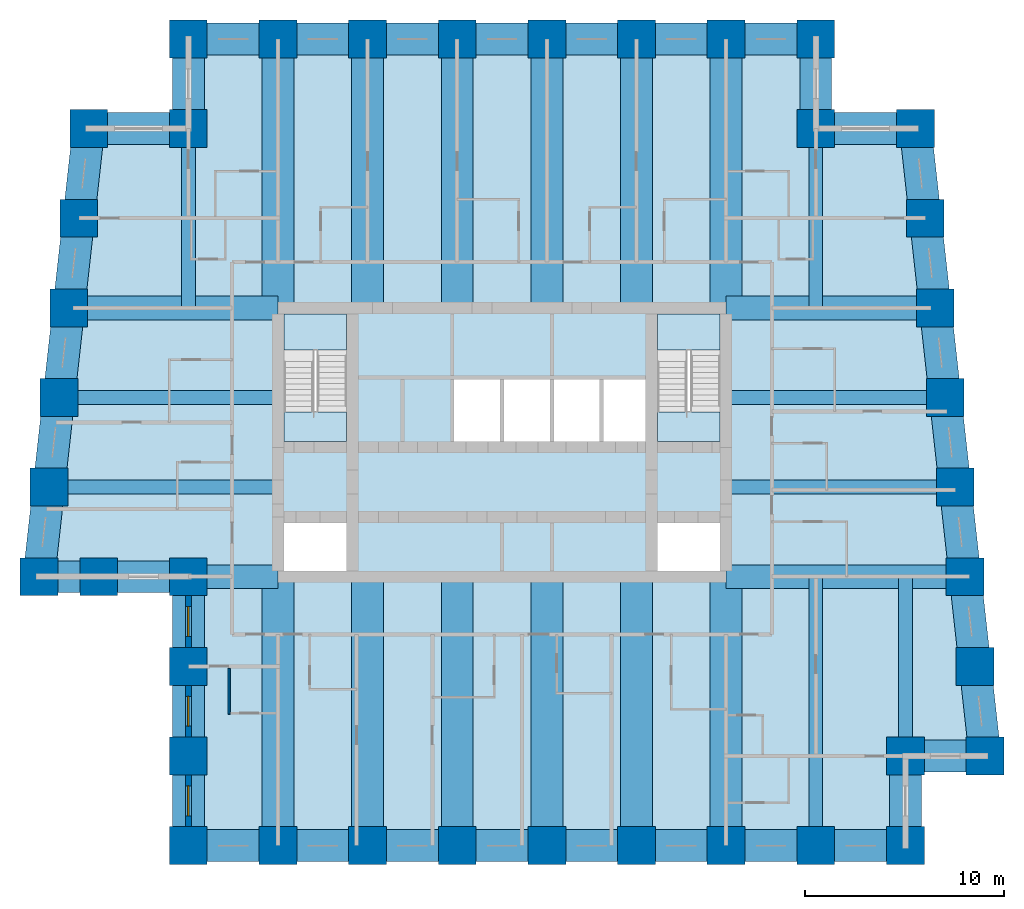
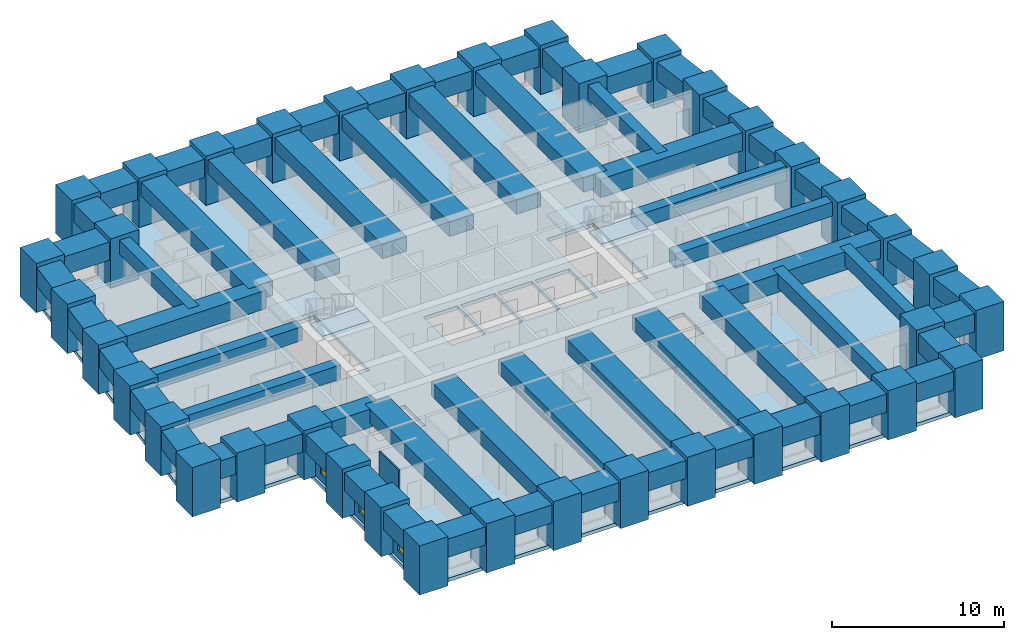
# One storey, part 1 of 8: 62 beams, 38 columns, 5 slabs, 3 windows, 2 walls, 3 openings, 2 elements without a shape of their own.
"""IFC4 building model written with IfcOpenShell, lengths in metres."""

import ifcopenshell
import ifcopenshell.guid

model = None  # the IFC model being written
_history = None  # IfcOwnerHistory: only IFC2X3 demands one
_inside = {}  # id of a spatial element -> (the spatial element, [elements in it])
_under = {}  # id of a project, library or spatial element -> (it, [spatial elements below it])
_declared = {}  # id of a project -> (the project, [libraries it declares])
_typed = {}  # id of a type object -> (the type object, [elements of that type])
_made_of = {}  # id of a material, layer set ... -> (it, [elements and type objects made of it])


def new_model(schema):
    """Start an empty IFC model of exactly this schema.

    Asked for "IFC4X3", IfcOpenShell would pick the latest addendum, in which some entities
    have other attributes; the version numbers below select the first issue.
    IFC2X3 requires an IfcOwnerHistory on every rooted entity: one is made here for all.
    """
    global model, _history
    if schema == "IFC4X3":
        model = ifcopenshell.file(schema_version=(4, 3, 0, 0))
    else:
        model = ifcopenshell.file(schema=schema)
    _inside.clear()
    _under.clear()
    _declared.clear()
    _typed.clear()
    _made_of.clear()
    _history = None
    if model.schema == "IFC2X3":
        org = make("IfcOrganization", Name="unknown")
        user = make(
            "IfcPersonAndOrganization",
            ThePerson=make("IfcPerson", FamilyName="unknown"),
            TheOrganization=org,
        )
        app = make(
            "IfcApplication",
            ApplicationDeveloper=org,
            Version="unknown",
            ApplicationFullName="unknown",
            ApplicationIdentifier="unknown",
        )
        _history = make(
            "IfcOwnerHistory",
            OwningUser=user,
            OwningApplication=app,
            ChangeAction="ADDED",
            CreationDate=0,
        )
    return model


def make(cls, **values):
    """One entity of the class cls with the attributes given. An attribute that is None is left unset."""
    return model.create_entity(
        cls, **{name: value for name, value in values.items() if value is not None}
    )


def rooted(cls, **values):
    """An entity with a GlobalId (a new one), such as an element, a storey or a relation."""
    return make(cls, GlobalId=ifcopenshell.guid.new(), OwnerHistory=_history, **values)


def si_unit(unit_type, name, prefix=None):
    """IfcSIUnit, for example si_unit("LENGTHUNIT", "METRE", prefix="MILLI")."""
    return make("IfcSIUnit", UnitType=unit_type, Prefix=prefix, Name=name)


def assignment(units):
    """IfcUnitAssignment: the units of a project."""
    return None if units is None else make("IfcUnitAssignment", Units=units)


def point(xyz):
    """IfcCartesianPoint."""
    return None if xyz is None else make("IfcCartesianPoint", Coordinates=xyz)


def direction(xyz):
    """IfcDirection."""
    return None if xyz is None else make("IfcDirection", DirectionRatios=xyz)


def frame(location, z_axis=None, x_axis=None):
    """IfcAxis2Placement3D, a coordinate frame: its origin and axes. An axis left out is left unset."""
    return make(
        "IfcAxis2Placement3D",
        Location=point(location),
        Axis=direction(z_axis),
        RefDirection=direction(x_axis),
    )


def frame_2d(location, x_axis=None):
    """IfcAxis2Placement2D, a coordinate frame in the plane: its origin and x axis."""
    return make(
        "IfcAxis2Placement2D", Location=point(location), RefDirection=direction(x_axis)
    )


def origin():
    """The frame at (0, 0, 0) with its axes left unset."""
    return frame((0.0, 0.0, 0.0))


def origin_2d():
    """The frame at (0, 0) in the plane with its x axis left unset."""
    return frame_2d((0.0, 0.0))


def place(relative_to, where):
    """IfcLocalPlacement: puts the frame where relative to a parent placement (None: the world)."""
    return make(
        "IfcLocalPlacement", PlacementRelTo=relative_to, RelativePlacement=where
    )


def context(
    kind, dimensions, precision=None, world=None, true_north=None, identifier=None
):
    """IfcGeometricRepresentationContext, for example the 3D "Model" context."""
    return make(
        "IfcGeometricRepresentationContext",
        ContextIdentifier=identifier,
        ContextType=kind,
        CoordinateSpaceDimension=dimensions,
        Precision=precision,
        WorldCoordinateSystem=world,
        TrueNorth=true_north,
    )


def subcontext(parent, identifier, kind, view, scale=None):
    """IfcGeometricRepresentationSubContext, for example "Body" below "Model"."""
    return make(
        "IfcGeometricRepresentationSubContext",
        ContextIdentifier=identifier,
        ContextType=kind,
        ParentContext=parent,
        TargetScale=scale,
        TargetView=view,
    )


def project(units=None, contexts=None):
    """IfcProject with its units and contexts."""
    return rooted(
        "IfcProject",
        Name="project",
        RepresentationContexts=contexts,
        UnitsInContext=assignment(units),
    )


def spatial(cls, under=None, at=None, **own):
    """A site, building, storey or space (cls), placed at a placement, below another one or the project."""
    s = rooted(cls, ObjectPlacement=at, **own)
    if under is not None:
        _under.setdefault(under.id(), (under, []))[1].append(s)
    return s


def polyline(points):
    """IfcPolyline through the points."""
    return make("IfcPolyline", Points=[point(p) for p in points])


def profile(cls, at=None, kind="AREA", **sizes):
    """A parametric profile (cls). Its sizes go by their IFC names, for example OverallWidth=200.0."""
    return make(cls, ProfileType=kind, Position=at, **sizes)


def rectangle(**sizes):
    """IfcRectangleProfileDef."""
    return profile("IfcRectangleProfileDef", **sizes)


def outline(outer, holes=None, kind="AREA"):
    """IfcArbitraryClosedProfileDef: a profile drawn as a closed curve; with holes, ...WithVoids."""
    if holes is None:
        return make("IfcArbitraryClosedProfileDef", ProfileType=kind, OuterCurve=outer)
    return make(
        "IfcArbitraryProfileDefWithVoids",
        ProfileType=kind,
        OuterCurve=outer,
        InnerCurves=holes,
    )


def extrude(swept, where, along, depth):
    """IfcExtrudedAreaSolid: the profile swept, set in the frame where, extruded along a direction by depth."""
    return make(
        "IfcExtrudedAreaSolid",
        SweptArea=swept,
        Position=where,
        ExtrudedDirection=direction(along),
        Depth=depth,
    )


def shape(context_of_items, identifier, shape_type, items):
    """IfcShapeRepresentation: the items that make up one representation, for example the "Body"."""
    return make(
        "IfcShapeRepresentation",
        ContextOfItems=context_of_items,
        RepresentationIdentifier=identifier,
        RepresentationType=shape_type,
        Items=items,
    )


def material(Name=None, Category=None):
    """IfcMaterial."""
    return make("IfcMaterial", Name=Name, Category=Category)


def layer(
    of_material, thickness, ventilated=None, Name=None, Category=None, Priority=None
):
    """IfcMaterialLayer: one layer of a wall or slab, of a material (None: an air gap)."""
    return make(
        "IfcMaterialLayer",
        Material=of_material,
        LayerThickness=thickness,
        IsVentilated=ventilated,
        Name=Name,
        Category=Category,
        Priority=Priority,
    )


def layer_set(layers, Name=None):
    """IfcMaterialLayerSet."""
    return make("IfcMaterialLayerSet", MaterialLayers=layers, LayerSetName=Name)


def material_profile(
    of_material, cross_section, Name=None, Category=None, Priority=None
):
    """IfcMaterialProfile: a cross section and its material."""
    return make(
        "IfcMaterialProfile",
        Name=Name,
        Material=of_material,
        Profile=cross_section,
        Priority=Priority,
        Category=Category,
    )


def profile_set(profiles, Name=None, composite=None):
    """IfcMaterialProfileSet."""
    return make(
        "IfcMaterialProfileSet",
        Name=Name,
        MaterialProfiles=profiles,
        CompositeProfile=composite,
    )


def made_of(thing, what):
    """Note that an element or type object is made of a material, layer set ...; save() writes the relation."""
    if what is not None:
        _made_of.setdefault(what.id(), (what, []))[1].append(thing)
    return thing


def type_object(cls, material=None, **own):
    """A type object (cls), such as IfcWallType, which elements share."""
    return made_of(rooted(cls, **own), material)


def element(
    cls,
    number,
    at=None,
    inside=None,
    cuts=None,
    type_object=None,
    material=None,
    context=None,
    identifier="Body",
    shape_type=None,
    held_by="IfcProductDefinitionShape",
    body=None,
    shapes=None,
    **own,
):
    """One element of the class cls, such as IfcWall. Its Tag is "e" and its number.

    at: its placement. inside: the storey or other place that contains it. cuts: it is an
    opening in that element (IfcRelVoidsElement). A single representation is given by context,
    identifier, shape_type and body (its items); several are given by shapes. held_by: the class
    of the entity that holds the representations. save() writes the other relations.
    """
    e = rooted(cls, Tag="e%d" % number, ObjectPlacement=at, **own)
    if body is not None:
        shapes = [shape(context, identifier, shape_type, body)]
    if shapes is not None:
        e.Representation = make(held_by, Representations=shapes)
    if inside is not None:
        _inside.setdefault(inside.id(), (inside, []))[1].append(e)
    if cuts is not None:
        rooted(
            "IfcRelVoidsElement", RelatingBuildingElement=cuts, RelatedOpeningElement=e
        )
    if type_object is not None:
        _typed.setdefault(type_object.id(), (type_object, []))[1].append(e)
    return made_of(e, material)


def fill(opening, filler):
    """IfcRelFillsElement: the door or window that sits in an opening."""
    return rooted(
        "IfcRelFillsElement",
        RelatingOpeningElement=opening,
        RelatedBuildingElement=filler,
    )


def aggregate(whole, parts):
    """IfcRelAggregates: a whole, such as a stair, and the parts it consists of."""
    return rooted("IfcRelAggregates", RelatingObject=whole, RelatedObjects=parts)


def save(model, path):
    """Write the relations noted so far, then the file.

    IfcRelAggregates (storeys below a building ...), IfcRelContainedInSpatialStructure (elements
    in a storey), IfcRelDefinesByType, IfcRelAssociatesMaterial and IfcRelDeclares: one each for
    every whole, place, type object, material and project.
    """
    for whole, parts in _under.values():
        aggregate(whole, parts)
    for where, things in _inside.values():
        rooted(
            "IfcRelContainedInSpatialStructure",
            RelatedElements=things,
            RelatingStructure=where,
        )
    for kind, things in _typed.values():
        rooted("IfcRelDefinesByType", RelatedObjects=things, RelatingType=kind)
    for what, things in _made_of.values():
        rooted("IfcRelAssociatesMaterial", RelatedObjects=things, RelatingMaterial=what)
    for by, libraries in _declared.values():
        rooted("IfcRelDeclares", RelatingContext=by, RelatedDefinitions=libraries)
    model.write(path)


model = new_model("IFC4")

# Units and contexts
model_context = context("Model", 3, precision=1e-05, world=origin(), true_north=direction((0.0, 1.0)))
body_context = subcontext(model_context, "Body", "Model", "MODEL_VIEW")
ifc_project = project(units=[si_unit("LENGTHUNIT", "METRE"), si_unit("AREAUNIT", "SQUARE_METRE"), si_unit("VOLUMEUNIT", "CUBIC_METRE"), si_unit("PLANEANGLEUNIT", "RADIAN"), si_unit("MASSUNIT", "GRAM", prefix="KILO")], contexts=[model_context])

# Site, building, storey
site_placement = place(None, origin())
site = spatial("IfcSite", under=ifc_project, at=site_placement, CompositionType="ELEMENT")
building_placement = place(site_placement, origin())
building = spatial("IfcBuilding", under=site, at=building_placement, Name="Kilele Tower Hotel", CompositionType="ELEMENT")
storey_placement = place(building_placement, frame((0.0, 0.0, 207.89990234375)))
storey = spatial("IfcBuildingStorey", under=building, at=storey_placement, Name="L54", CompositionType="ELEMENT", Elevation=207.89990234375)

# Columns
ifc_material_1 = material(Name="Concrete C60/75", Category="concrete")
ifc_material_profile_1 = material_profile(ifc_material_1, rectangle(XDim=1.89990234375, YDim=1.89990234375, at=origin_2d()))
ifc_profile_set_1 = profile_set([ifc_material_profile_1], Name="Concrete C60/75")
column_type = type_object("IfcColumnType", Name="Tube column RC 1900x1900 C60/75", PredefinedType="COLUMN", material=ifc_profile_set_1)
for number, where, z_axis, x_axis, name in (
    (1, (1.5, 13.5, 0.0), (0.0, 0.0, 1.0), (1.0, 0.0, 0.0), "Column TC3 L54"),
    (2, (4.5, 13.5, 0.0), (0.0, 0.0, 1.0), (1.0, 0.0, 0.0), "Column TC3 L54"),
    (3, (9.0, 13.5, 0.0), (0.0, 0.0, 1.0), (1.0, 0.0, 0.0), "Column TC3 L54"),
    (4, (9.0, 9.0, 0.0), (0.0, 0.0, 1.0), (1.0, 0.0, 0.0), "Column TC3 L54"),
    (5, (9.0, 4.5, 0.0), (0.0, 0.0, 1.0), (1.0, 0.0, 0.0), "Column TC3 L54"),
    (6, (9.0, 0.0, 0.0), (0.0, 0.0, 1.0), (1.0, 0.0, 0.0), "Column TC3 L54"),
    (7, (13.5, 0.0, 0.0), (0.0, 0.0, 1.0), (1.0, 0.0, 0.0), "Column TC3 L54"),
    (8, (18.0, 0.0, 0.0), (0.0, 0.0, 1.0), (1.0, 0.0, 0.0), "Column TC3 L54"),
    (9, (22.5, 0.0, 0.0), (0.0, 0.0, 1.0), (1.0, 0.0, 0.0), "Column TC3 L54"),
    (10, (27.0, 0.0, 0.0), (0.0, 0.0, 1.0), (1.0, 0.0, 0.0), "Column TC3 L54"),
    (11, (31.5, 0.0, 0.0), (0.0, 0.0, 1.0), (1.0, 0.0, 0.0), "Column TC3 L54"),
    (12, (36.0, 0.0, 0.0), (0.0, 0.0, 1.0), (1.0, 0.0, 0.0), "Column TC3 L54"),
    (13, (40.5, 0.0, 0.0), (0.0, 0.0, 1.0), (1.0, 0.0, 0.0), "Column TC3 L54"),
    (14, (45.0, 0.0, 0.0), (0.0, 0.0, 1.0), (1.0, 0.0, 0.0), "Column TC3 L54"),
    (15, (45.0, 4.5, 0.0), (0.0, 0.0, 1.0), (1.0, 0.0, 0.0), "Column TC3 L54"),
    (16, (49.0, 4.5, 0.0), (0.0, 0.0, 1.0), (1.0, 0.0, 0.0), "Column TC3 L54"),
    (17, (48.5, 9.0, 0.0), (0.0, 0.0, 1.0), (1.0, 0.0, 0.0), "Column TC3 L54"),
    (18, (48.0, 13.5, 0.0), (0.0, 0.0, 1.0), (1.0, 0.0, 0.0), "Column TC3 L54"),
    (19, (47.5, 18.0, 0.0), (0.0, 0.0, 1.0), (1.0, 0.0, 0.0), "Column TC3 L54"),
    (20, (47.0, 22.5, 0.0), (0.0, 0.0, 1.0), (1.0, 0.0, 0.0), "Column TC3 L54"),
    (21, (46.5, 27.0, 0.0), (0.0, 0.0, 1.0), (1.0, 0.0, 0.0), "Column TC3 L54"),
    (22, (46.0, 31.5, 0.0), (0.0, 0.0, 1.0), (1.0, 0.0, 0.0), "Column TC3 L54"),
    (23, (45.5, 36.0, 0.0), (0.0, 0.0, 1.0), (1.0, 0.0, 0.0), "Column TC3 L54"),
    (24, (40.5, 36.0, 0.0), (0.0, 0.0, 1.0), (1.0, 0.0, 0.0), "Column TC3 L54"),
    (25, (40.5, 40.5, 0.0), (0.0, 0.0, 1.0), (1.0, 0.0, 0.0), "Column TC3 L54"),
    (26, (36.0, 40.5, 0.0), (0.0, 0.0, 1.0), (1.0, 0.0, 0.0), "Column TC3 L54"),
    (27, (31.5, 40.5, 0.0), (0.0, 0.0, 1.0), (1.0, 0.0, 0.0), "Column TC3 L54"),
    (28, (27.0, 40.5, 0.0), (0.0, 0.0, 1.0), (1.0, 0.0, 0.0), "Column TC3 L54"),
    (29, (22.5, 40.5, 0.0), (0.0, 0.0, 1.0), (1.0, 0.0, 0.0), "Column TC3 L54"),
    (30, (18.0, 40.5, 0.0), (0.0, 0.0, 1.0), (1.0, 0.0, 0.0), "Column TC3 L54"),
    (31, (13.5, 40.5, 0.0), (0.0, 0.0, 1.0), (1.0, 0.0, 0.0), "Column TC3 L54"),
    (32, (9.0, 40.5, 0.0), (0.0, 0.0, 1.0), (1.0, 0.0, 0.0), "Column TC3 L54"),
    (33, (9.0, 36.0, 0.0), (0.0, 0.0, 1.0), (1.0, 0.0, 0.0), "Column TC3 L54"),
    (34, (4.0, 36.0, 0.0), (0.0, 0.0, 1.0), (1.0, 0.0, 0.0), "Column TC3 L54"),
    (35, (3.5, 31.5, 0.0), (0.0, 0.0, 1.0), (1.0, 0.0, 0.0), "Column TC3 L54"),
    (36, (3.0, 27.0, 0.0), (0.0, 0.0, 1.0), (1.0, 0.0, 0.0), "Column TC3 L54"),
    (37, (2.5, 22.5, 0.0), (0.0, 0.0, 1.0), (1.0, 0.0, 0.0), "Column TC3 L54"),
    (38, (2.0, 18.0, 0.0), (0.0, 0.0, 1.0), (1.0, 0.0, 0.0), "Column TC3 L54"),
):
    element("IfcColumn", number, at=place(storey_placement, frame(where, z_axis=z_axis, x_axis=x_axis)), inside=storey, type_object=column_type, Name=name, PredefinedType="COLUMN", context=body_context, shape_type="SweptSolid", body=[
        extrude(rectangle(XDim=1.89990234375, YDim=1.89990234375, at=origin_2d()), origin(), (0.0, 0.0, 1.0), 3.5),
    ])

# Beams
ifc_material_2 = material(Name="Concrete C60/75", Category="concrete")
ifc_material_profile_2 = material_profile(ifc_material_2, rectangle(XDim=1.60009765625, YDim=1.0, at=origin_2d()))
ifc_profile_set_2 = profile_set([ifc_material_profile_2], Name="Concrete C60/75")
beam_type_1 = type_object("IfcBeamType", Name="Beam RC 1600x1000 C60/75", PredefinedType="BEAM", material=ifc_profile_set_2)
for number, where, z_axis, x_axis, name in (
    (39, (13.5, 0.0, 2.7001953125), (0.0, 1.0, 0.0), (-1.0, 0.0, 0.0), "Beam BC1 level L55"),
    (40, (18.0, 0.0, 2.7001953125), (0.0, 1.0, 0.0), (-1.0, 0.0, 0.0), "Beam BC1 level L55"),
    (41, (22.5, 0.0, 2.7001953125), (0.0, 1.0, 0.0), (-1.0, 0.0, 0.0), "Beam BC1 level L55"),
    (42, (27.0, 0.0, 2.7001953125), (0.0, 1.0, 0.0), (-1.0, 0.0, 0.0), "Beam BC1 level L55"),
    (43, (31.5, 0.0, 2.7001953125), (0.0, 1.0, 0.0), (-1.0, 0.0, 0.0), "Beam BC1 level L55"),
    (44, (36.0, 0.0, 2.7001953125), (0.0, 1.0, 0.0), (-1.0, 0.0, 0.0), "Beam BC1 level L55"),
    (45, (36.0, 40.5, 2.7001953125), (0.0, -1.0, 0.0), (1.0, 0.0, 0.0), "Beam BC1 level L55"),
    (46, (31.5, 40.5, 2.7001953125), (0.0, -1.0, 0.0), (1.0, 0.0, 0.0), "Beam BC1 level L55"),
    (47, (27.0, 40.5, 2.7001953125), (0.0, -1.0, 0.0), (1.0, 0.0, 0.0), "Beam BC1 level L55"),
    (48, (22.5, 40.5, 2.7001953125), (0.0, -1.0, 0.0), (1.0, 0.0, 0.0), "Beam BC1 level L55"),
    (49, (18.0, 40.5, 2.7001953125), (0.0, -1.0, 0.0), (1.0, 0.0, 0.0), "Beam BC1 level L55"),
    (50, (13.5, 40.5, 2.7001953125), (0.0, -1.0, 0.0), (1.0, 0.0, 0.0), "Beam BC1 level L55"),
):
    element("IfcBeam", number, at=place(storey_placement, frame(where, z_axis=z_axis, x_axis=x_axis)), inside=storey, type_object=beam_type_1, Name=name, PredefinedType="BEAM", context=body_context, shape_type="SweptSolid", body=[
        extrude(rectangle(XDim=1.60009765625, YDim=1.0, at=origin_2d()), origin(), (0.0, 0.0, 1.0), 13.5),
    ])
ifc_material_3 = material(Name="Concrete C60/75", Category="concrete")
ifc_material_profile_3 = material_profile(ifc_material_3, rectangle(XDim=0.699951171875, YDim=1.0, at=origin_2d()))
ifc_profile_set_3 = profile_set([ifc_material_profile_3], Name="Concrete C60/75")
beam_type_2 = type_object("IfcBeamType", Name="Beam RC 700x1000 C60/75", PredefinedType="BEAM", material=ifc_profile_set_3)
beam_1_placement = place(storey_placement, frame((40.5, 0.0, 2.7001953125), z_axis=(0.0, 1.0, 0.0), x_axis=(-1.0, 0.0, 0.0)))
element("IfcBeam", 51, at=beam_1_placement, inside=storey, type_object=beam_type_2, Name="Beam B4 level L55", PredefinedType="BEAM", context=body_context, shape_type="SweptSolid", body=[
    extrude(rectangle(XDim=0.699951171875, YDim=1.0, at=origin_2d()), origin(), (0.0, 0.0, 1.0), 13.5),
])
ifc_material_4 = material(Name="Concrete C60/75", Category="concrete")
ifc_material_profile_4 = material_profile(ifc_material_4, rectangle(XDim=0.699951171875, YDim=1.0, at=origin_2d()))
ifc_profile_set_4 = profile_set([ifc_material_profile_4], Name="Concrete C60/75")
beam_type_3 = type_object("IfcBeamType", Name="Beam RC 700x1000 C60/75 mid span", PredefinedType="BEAM", material=ifc_profile_set_4)
beam_2_placement = place(storey_placement, frame((45.0, 4.5, 2.7001953125), z_axis=(0.0, 1.0, 0.0), x_axis=(-1.0, 0.0, 0.0)))
element("IfcBeam", 52, at=beam_2_placement, inside=storey, type_object=beam_type_3, Name="Beam B5 level L55", PredefinedType="BEAM", context=body_context, shape_type="SweptSolid", body=[
    extrude(rectangle(XDim=0.699951171875, YDim=1.0, at=origin_2d()), origin(), (0.0, 0.0, 1.0), 9.0),
])
beam_3_placement = place(storey_placement, frame((47.5, 18.0, 2.7001953125), z_axis=(-1.0, 0.0, 0.0), x_axis=(0.0, -1.0, 0.0)))
element("IfcBeam", 53, at=beam_3_placement, inside=storey, type_object=beam_type_3, Name="Beam B5 level L55", PredefinedType="BEAM", context=body_context, shape_type="SweptSolid", body=[
    extrude(rectangle(XDim=0.699951171875, YDim=1.0, at=origin_2d()), origin(), (0.0, 0.0, 1.0), 11.5),
])
beam_4_placement = place(storey_placement, frame((47.0, 22.5, 2.7001953125), z_axis=(-1.0, 0.0, 0.0), x_axis=(0.0, -1.0, 0.0)))
element("IfcBeam", 54, at=beam_4_placement, inside=storey, type_object=beam_type_3, Name="Beam B5 level L55", PredefinedType="BEAM", context=body_context, shape_type="SweptSolid", body=[
    extrude(rectangle(XDim=0.699951171875, YDim=1.0, at=origin_2d()), origin(), (0.0, 0.0, 1.0), 11.0),
])
for number, where, z_axis, x_axis, name in (
    (55, (40.5, 36.0, 2.7001953125), (0.0, -1.0, 0.0), (1.0, 0.0, 0.0), "Beam B5 level L55"),
    (56, (9.0, 36.0, 2.7001953125), (0.0, -1.0, 0.0), (1.0, 0.0, 0.0), "Beam B5 level L55"),
):
    element("IfcBeam", number, at=place(storey_placement, frame(where, z_axis=z_axis, x_axis=x_axis)), inside=storey, type_object=beam_type_3, Name=name, PredefinedType="BEAM", context=body_context, shape_type="SweptSolid", body=[
        extrude(rectangle(XDim=0.699951171875, YDim=1.0, at=origin_2d()), origin(), (0.0, 0.0, 1.0), 9.0),
    ])
beam_5_placement = place(storey_placement, frame((2.5, 22.5, 2.7001953125), z_axis=(1.0, 0.0, 0.0), x_axis=(0.0, 1.0, 0.0)))
element("IfcBeam", 57, at=beam_5_placement, inside=storey, type_object=beam_type_3, Name="Beam B5 level L55", PredefinedType="BEAM", context=body_context, shape_type="SweptSolid", body=[
    extrude(rectangle(XDim=0.699951171875, YDim=1.0, at=origin_2d()), origin(), (0.0, 0.0, 1.0), 11.0),
])
beam_6_placement = place(storey_placement, frame((2.0, 18.0, 2.7001953125), z_axis=(1.0, 0.0, 0.0), x_axis=(0.0, 1.0, 0.0)))
element("IfcBeam", 58, at=beam_6_placement, inside=storey, type_object=beam_type_3, Name="Beam B5 level L55", PredefinedType="BEAM", context=body_context, shape_type="SweptSolid", body=[
    extrude(rectangle(XDim=0.699951171875, YDim=1.0, at=origin_2d()), origin(), (0.0, 0.0, 1.0), 11.5),
])
ifc_material_5 = material(Name="Concrete C60/75", Category="concrete")
ifc_material_profile_5 = material_profile(ifc_material_5, rectangle(XDim=1.199951171875, YDim=1.300048828125, at=origin_2d()))
ifc_profile_set_5 = profile_set([ifc_material_profile_5], Name="Concrete C60/75")
beam_type_4 = type_object("IfcBeamType", Name="Girder RC 1200x1300 C60/75", PredefinedType="BEAM", material=ifc_profile_set_5)
beam_7_placement = place(storey_placement, frame((48.0, 13.5, 2.550048828125), z_axis=(-1.0, 0.0, 0.0), x_axis=(0.0, -1.0, 0.0)))
element("IfcBeam", 59, at=beam_7_placement, inside=storey, type_object=beam_type_4, Name="Girder G1 level L55", PredefinedType="BEAM", context=body_context, shape_type="SweptSolid", body=[
    extrude(rectangle(XDim=1.199951171875, YDim=1.300048828125, at=origin_2d()), origin(), (0.0, 0.0, 1.0), 12.0),
])
ifc_material_6 = material(Name="Concrete C60/75", Category="concrete")
ifc_material_profile_6 = material_profile(ifc_material_6, rectangle(XDim=1.199951171875, YDim=1.300048828125, at=origin_2d()))
ifc_profile_set_6 = profile_set([ifc_material_profile_6], Name="Concrete C60/75")
beam_type_5 = type_object("IfcBeamType", Name="Girder RC 1200x1300 C60/75 mid span", PredefinedType="BEAM", material=ifc_profile_set_6)
beam_8_placement = place(storey_placement, frame((46.5, 27.0, 2.550048828125), z_axis=(-1.0, 0.0, 0.0), x_axis=(0.0, -1.0, 0.0)))
element("IfcBeam", 60, at=beam_8_placement, inside=storey, type_object=beam_type_5, Name="Girder G3 level L55", PredefinedType="BEAM", context=body_context, shape_type="SweptSolid", body=[
    extrude(rectangle(XDim=1.199951171875, YDim=1.300048828125, at=origin_2d()), origin(), (0.0, 0.0, 1.0), 10.5),
])
ifc_material_7 = material(Name="Concrete C60/75", Category="concrete")
ifc_material_profile_7 = material_profile(ifc_material_7, rectangle(XDim=1.199951171875, YDim=1.300048828125, at=origin_2d()))
ifc_profile_set_7 = profile_set([ifc_material_profile_7], Name="Concrete C60/75")
beam_type_6 = type_object("IfcBeamType", Name="Girder RC 1200x1300 C60/75 mid span tie", PredefinedType="BEAM", material=ifc_profile_set_7)
beam_9_placement = place(storey_placement, frame((3.0, 27.0, 2.550048828125), z_axis=(1.0, 0.0, 0.0), x_axis=(0.0, 1.0, 0.0)))
element("IfcBeam", 61, at=beam_9_placement, inside=storey, type_object=beam_type_6, Name="Girder G4 level L55", PredefinedType="BEAM", context=body_context, shape_type="SweptSolid", body=[
    extrude(rectangle(XDim=1.199951171875, YDim=1.300048828125, at=origin_2d()), origin(), (0.0, 0.0, 1.0), 10.5),
])
ifc_material_8 = material(Name="Concrete C60/75", Category="concrete")
ifc_material_profile_8 = material_profile(ifc_material_8, rectangle(XDim=1.199951171875, YDim=1.300048828125, at=origin_2d()))
ifc_profile_set_8 = profile_set([ifc_material_profile_8], Name="Concrete C60/75")
beam_type_7 = type_object("IfcBeamType", Name="Girder RC 1200x1300 C60/75 short span tie", PredefinedType="BEAM", material=ifc_profile_set_8)
beam_10_placement = place(storey_placement, frame((9.0, 13.5, 2.550048828125), z_axis=(1.0, 0.0, 0.0), x_axis=(0.0, 1.0, 0.0)))
element("IfcBeam", 62, at=beam_10_placement, inside=storey, type_object=beam_type_7, Name="Girder G7 level L55", PredefinedType="BEAM", context=body_context, shape_type="SweptSolid", body=[
    extrude(rectangle(XDim=1.199951171875, YDim=1.300048828125, at=origin_2d()), origin(), (0.0, 0.0, 1.0), 4.5),
])
ifc_material_9 = material(Name="Concrete C60/75", Category="concrete")
ifc_material_profile_9 = material_profile(ifc_material_9, rectangle(XDim=1.60009765625, YDim=1.300048828125, at=origin_2d()))
ifc_profile_set_9 = profile_set([ifc_material_profile_9], Name="Concrete C60/75")
beam_type_8 = type_object("IfcBeamType", Name="Spandrel RC 1600x1300 C60/75", PredefinedType="SPANDREL", material=ifc_profile_set_9)
beam_11_placement = place(storey_placement, frame((1.5, 13.5, 2.550048828125), z_axis=(1.0, 0.0, 0.0), x_axis=(0.0, 1.0, 0.0)))
element("IfcBeam", 63, at=beam_11_placement, inside=storey, type_object=beam_type_8, Name="Spandrel SP13 level L55", PredefinedType="SPANDREL", context=body_context, shape_type="SweptSolid", body=[
    extrude(rectangle(XDim=1.60009765625, YDim=1.300048828125, at=origin_2d()), origin(), (0.0, 0.0, 1.0), 3.0),
])
for number, where, z_axis, x_axis, name in (
    (64, (4.5, 13.5, 2.550048828125), (1.0, 0.0, 0.0), (0.0, 1.0, 0.0), "Spandrel SP13 level L55"),
    (65, (9.0, 13.5, 2.550048828125), (0.0, -1.0, 0.0), (1.0, 0.0, 0.0), "Spandrel SP13 level L55"),
    (66, (9.0, 9.0, 2.550048828125), (0.0, -1.0, 0.0), (1.0, 0.0, 0.0), "Spandrel SP13 level L55"),
    (67, (9.0, 4.5, 2.550048828125), (0.0, -1.0, 0.0), (1.0, 0.0, 0.0), "Spandrel SP13 level L55"),
    (68, (9.0, 0.0, 2.550048828125), (1.0, 0.0, 0.0), (0.0, 1.0, 0.0), "Spandrel SP13 level L55"),
    (69, (13.5, 0.0, 2.550048828125), (1.0, 0.0, 0.0), (0.0, 1.0, 0.0), "Spandrel SP13 level L55"),
    (70, (18.0, 0.0, 2.550048828125), (1.0, 0.0, 0.0), (0.0, 1.0, 0.0), "Spandrel SP13 level L55"),
    (71, (22.5, 0.0, 2.550048828125), (1.0, 0.0, 0.0), (0.0, 1.0, 0.0), "Spandrel SP13 level L55"),
    (72, (27.0, 0.0, 2.550048828125), (1.0, 0.0, 0.0), (0.0, 1.0, 0.0), "Spandrel SP13 level L55"),
    (73, (31.5, 0.0, 2.550048828125), (1.0, 0.0, 0.0), (0.0, 1.0, 0.0), "Spandrel SP13 level L55"),
    (74, (36.0, 0.0, 2.550048828125), (1.0, 0.0, 0.0), (0.0, 1.0, 0.0), "Spandrel SP13 level L55"),
    (75, (40.5, 0.0, 2.550048828125), (1.0, 0.0, 0.0), (0.0, 1.0, 0.0), "Spandrel SP13 level L55"),
    (76, (45.0, 0.0, 2.550048828125), (0.0, 1.0, 0.0), (-1.0, 0.0, 0.0), "Spandrel SP13 level L55"),
):
    element("IfcBeam", number, at=place(storey_placement, frame(where, z_axis=z_axis, x_axis=x_axis)), inside=storey, type_object=beam_type_8, Name=name, PredefinedType="SPANDREL", context=body_context, shape_type="SweptSolid", body=[
        extrude(rectangle(XDim=1.60009765625, YDim=1.300048828125, at=origin_2d()), origin(), (0.0, 0.0, 1.0), 4.5),
    ])
beam_12_placement = place(storey_placement, frame((45.0, 4.5, 2.550048828125), z_axis=(1.0, 0.0, 0.0), x_axis=(0.0, 1.0, 0.0)))
element("IfcBeam", 77, at=beam_12_placement, inside=storey, type_object=beam_type_8, Name="Spandrel SP13 level L55", PredefinedType="SPANDREL", context=body_context, shape_type="SweptSolid", body=[
    extrude(rectangle(XDim=1.60009765625, YDim=1.300048828125, at=origin_2d()), origin(), (0.0, 0.0, 1.0), 4.0),
])
for number, where, z_axis, x_axis, name in (
    (78, (49.0, 4.5, 2.550048828125), (-0.110431526075, 0.993883734674, 0.0), (-0.993883734674, -0.110431526075, 0.0), "Spandrel SP13 level L55"),
    (79, (48.5, 9.0, 2.550048828125), (-0.110431526075, 0.993883734674, 0.0), (-0.993883734674, -0.110431526075, 0.0), "Spandrel SP13 level L55"),
    (80, (48.0, 13.5, 2.550048828125), (-0.110431526075, 0.993883734674, 0.0), (-0.993883734674, -0.110431526075, 0.0), "Spandrel SP13 level L55"),
    (81, (47.5, 18.0, 2.550048828125), (-0.110431526075, 0.993883734674, 0.0), (-0.993883734674, -0.110431526075, 0.0), "Spandrel SP13 level L55"),
    (82, (47.0, 22.5, 2.550048828125), (-0.110431526075, 0.993883734674, 0.0), (-0.993883734674, -0.110431526075, 0.0), "Spandrel SP13 level L55"),
    (83, (46.5, 27.0, 2.550048828125), (-0.110431526075, 0.993883734674, 0.0), (-0.993883734674, -0.110431526075, 0.0), "Spandrel SP13 level L55"),
    (84, (46.0, 31.5, 2.550048828125), (-0.110431526075, 0.993883734674, 0.0), (-0.993883734674, -0.110431526075, 0.0), "Spandrel SP13 level L55"),
):
    element("IfcBeam", number, at=place(storey_placement, frame(where, z_axis=z_axis, x_axis=x_axis)), inside=storey, type_object=beam_type_8, Name=name, PredefinedType="SPANDREL", context=body_context, shape_type="SweptSolid", body=[
        extrude(rectangle(XDim=1.60009765625, YDim=1.300048828125, at=origin_2d()), origin(), (0.0, 0.0, 1.0), 4.527587890625),
    ])
beam_13_placement = place(storey_placement, frame((45.5, 36.0, 2.550048828125), z_axis=(-1.0, 0.0, 0.0), x_axis=(0.0, -1.0, 0.0)))
element("IfcBeam", 85, at=beam_13_placement, inside=storey, type_object=beam_type_8, Name="Spandrel SP13 level L55", PredefinedType="SPANDREL", context=body_context, shape_type="SweptSolid", body=[
    extrude(rectangle(XDim=1.60009765625, YDim=1.300048828125, at=origin_2d()), origin(), (0.0, 0.0, 1.0), 5.0),
])
for number, where, z_axis, x_axis, name in (
    (86, (40.5, 36.0, 2.550048828125), (0.0, 1.0, 0.0), (-1.0, 0.0, 0.0), "Spandrel SP13 level L55"),
    (87, (40.5, 40.5, 2.550048828125), (-1.0, 0.0, 0.0), (0.0, -1.0, 0.0), "Spandrel SP13 level L55"),
    (88, (36.0, 40.5, 2.550048828125), (-1.0, 0.0, 0.0), (0.0, -1.0, 0.0), "Spandrel SP13 level L55"),
    (89, (31.5, 40.5, 2.550048828125), (-1.0, 0.0, 0.0), (0.0, -1.0, 0.0), "Spandrel SP13 level L55"),
    (90, (27.0, 40.5, 2.550048828125), (-1.0, 0.0, 0.0), (0.0, -1.0, 0.0), "Spandrel SP13 level L55"),
    (91, (22.5, 40.5, 2.550048828125), (-1.0, 0.0, 0.0), (0.0, -1.0, 0.0), "Spandrel SP13 level L55"),
    (92, (18.0, 40.5, 2.550048828125), (-1.0, 0.0, 0.0), (0.0, -1.0, 0.0), "Spandrel SP13 level L55"),
    (93, (13.5, 40.5, 2.550048828125), (-1.0, 0.0, 0.0), (0.0, -1.0, 0.0), "Spandrel SP13 level L55"),
    (94, (9.0, 40.5, 2.550048828125), (0.0, -1.0, 0.0), (1.0, 0.0, 0.0), "Spandrel SP13 level L55"),
):
    element("IfcBeam", number, at=place(storey_placement, frame(where, z_axis=z_axis, x_axis=x_axis)), inside=storey, type_object=beam_type_8, Name=name, PredefinedType="SPANDREL", context=body_context, shape_type="SweptSolid", body=[
        extrude(rectangle(XDim=1.60009765625, YDim=1.300048828125, at=origin_2d()), origin(), (0.0, 0.0, 1.0), 4.5),
    ])
beam_14_placement = place(storey_placement, frame((9.0, 36.0, 2.550048828125), z_axis=(-1.0, 0.0, 0.0), x_axis=(0.0, -1.0, 0.0)))
element("IfcBeam", 95, at=beam_14_placement, inside=storey, type_object=beam_type_8, Name="Spandrel SP13 level L55", PredefinedType="SPANDREL", context=body_context, shape_type="SweptSolid", body=[
    extrude(rectangle(XDim=1.60009765625, YDim=1.300048828125, at=origin_2d()), origin(), (0.0, 0.0, 1.0), 5.0),
])
for number, where, z_axis, x_axis, name in (
    (96, (4.0, 36.0, 2.550048828125), (-0.110431526075, -0.993883734674, 0.0), (0.993883734674, -0.110431526075, 0.0), "Spandrel SP13 level L55"),
    (97, (3.5, 31.5, 2.550048828125), (-0.110431526075, -0.993883734674, 0.0), (0.993883734674, -0.110431526075, 0.0), "Spandrel SP13 level L55"),
    (98, (3.0, 27.0, 2.550048828125), (-0.110431526075, -0.993883734674, 0.0), (0.993883734674, -0.110431526075, 0.0), "Spandrel SP13 level L55"),
    (99, (2.5, 22.5, 2.550048828125), (-0.110431526075, -0.993883734674, 0.0), (0.993883734674, -0.110431526075, 0.0), "Spandrel SP13 level L55"),
    (100, (2.0, 18.0, 2.550048828125), (-0.110431526075, -0.993883734674, 0.0), (0.993883734674, -0.110431526075, 0.0), "Spandrel SP13 level L55"),
):
    element("IfcBeam", number, at=place(storey_placement, frame(where, z_axis=z_axis, x_axis=x_axis)), inside=storey, type_object=beam_type_8, Name=name, PredefinedType="SPANDREL", context=body_context, shape_type="SweptSolid", body=[
        extrude(rectangle(XDim=1.60009765625, YDim=1.300048828125, at=origin_2d()), origin(), (0.0, 0.0, 1.0), 4.527587890625),
    ])

# Slab
ifc_material_10 = material(Name="Concrete C60/75", Category="concrete")
ifc_layer_1 = layer(ifc_material_10, 0.25)
ifc_layer_set_1 = layer_set([ifc_layer_1], Name="Concrete C60/75")
slab_type_1 = type_object("IfcSlabType", Name="Floor slab 250", PredefinedType="FLOOR", material=ifc_layer_set_1)
slab_1_placement = place(storey_placement, frame((0.0, 0.0, -0.25)))
element("IfcSlab", 101, at=slab_1_placement, inside=storey, type_object=slab_type_1, Name="Floor slab L54", PredefinedType="FLOOR", context=body_context, shape_type="SweptSolid", body=[
    extrude(outline(polyline([(8.699951171875, 36.300048828125), (8.699951171875, 40.800048828125), (40.800048828125, 40.800048828125), (40.800048828125, 36.300048828125), (45.7685546875, 36.300048828125), (49.335205078125, 4.199951171875), (45.300048828125, 4.199951171875), (45.300048828125, -0.300048828125), (8.699951171875, -0.300048828125), (8.699951171875, 13.199951171875), (1.164794921875, 13.199951171875), (3.7314453125, 36.300048828125), (8.699951171875, 36.300048828125)]), holes=[polyline([(16.949951171875, 16.199951171875), (13.800048828125, 16.199951171875), (13.800048828125, 13.800048828125), (16.949951171875, 13.800048828125), (16.949951171875, 16.199951171875)]), polyline([(35.699951171875, 16.199951171875), (32.550048828125, 16.199951171875), (32.550048828125, 13.800048828125), (35.699951171875, 13.800048828125), (35.699951171875, 16.199951171875)]), polyline([(24.64990234375, 23.39990234375), (22.35009765625, 23.39990234375), (22.35009765625, 20.10009765625), (24.64990234375, 20.10009765625), (24.64990234375, 23.39990234375)]), polyline([(27.14990234375, 23.39990234375), (24.85009765625, 23.39990234375), (24.85009765625, 20.10009765625), (27.14990234375, 20.10009765625), (27.14990234375, 23.39990234375)]), polyline([(29.64990234375, 23.39990234375), (27.35009765625, 23.39990234375), (27.35009765625, 20.10009765625), (29.64990234375, 20.10009765625), (29.64990234375, 23.39990234375)]), polyline([(32.14990234375, 23.39990234375), (29.85009765625, 23.39990234375), (29.85009765625, 20.10009765625), (32.14990234375, 20.10009765625), (32.14990234375, 23.39990234375)]), polyline([(16.949951171875, 26.699951171875), (13.800048828125, 26.699951171875), (13.800048828125, 20.300048828125), (16.949951171875, 20.300048828125), (16.949951171875, 26.699951171875)]), polyline([(35.699951171875, 26.699951171875), (32.550048828125, 26.699951171875), (32.550048828125, 20.300048828125), (35.699951171875, 20.300048828125), (35.699951171875, 26.699951171875)])]), origin(), (0.0, 0.0, 1.0), 0.25),
])

# Stair, slabs
ifc_material_11 = material(Name="Precast concrete C40/50", Category="concrete")
stair_type = type_object("IfcStairType", Name="Stair 1475 x 3500", PredefinedType="HALF_TURN_STAIR", material=ifc_material_11)
stair_1_placement = place(storey_placement, origin())
stair_1 = element("IfcStair", 102, at=stair_1_placement, inside=storey, type_object=stair_type, Name="Stair 1 L54", PredefinedType="HALF_TURN_STAIR")
ifc_material_12 = material(Name="Precast concrete C40/50", Category="concrete")
ifc_layer_2 = layer(ifc_material_12, 0.199951171875)
ifc_layer_set_2 = layer_set([ifc_layer_2], Name="Precast concrete C40/50")
slab_type_2 = type_object("IfcSlabType", Name="Stair landing 200", PredefinedType="LANDING", material=ifc_layer_set_2)
slab_2_placement = place(storey_placement, frame((0.0, 0.0, 1.550048828125)))
slab_2 = element("IfcSlab", 103, at=slab_2_placement, type_object=slab_type_2, Name="ST1 landing 1", PredefinedType="LANDING", context=body_context, shape_type="SweptSolid", body=[
    extrude(outline(polyline([(13.800048828125, 24.89501953125), (16.949951171875, 24.89501953125), (16.949951171875, 26.699951171875), (13.800048828125, 26.699951171875), (13.800048828125, 24.89501953125)])), origin(), (0.0, 0.0, 1.0), 0.199951171875),
])
slab_3_placement = place(storey_placement, frame((0.0, 0.0, 3.300048828125)))
slab_3 = element("IfcSlab", 104, at=slab_3_placement, type_object=slab_type_2, Name="ST1 landing 2", PredefinedType="LANDING", context=body_context, shape_type="SweptSolid", body=[
    extrude(outline(polyline([(13.800048828125, 20.300048828125), (16.949951171875, 20.300048828125), (16.949951171875, 21.77490234375), (13.800048828125, 21.77490234375), (13.800048828125, 20.300048828125)])), origin(), (0.0, 0.0, 1.0), 0.199951171875),
])
aggregate(stair_1, [slab_2, slab_3])

stair_2_placement = place(storey_placement, origin())
stair_2 = element("IfcStair", 105, at=stair_2_placement, inside=storey, type_object=stair_type, Name="Stair 2 L54", PredefinedType="HALF_TURN_STAIR")
slab_4_placement = place(storey_placement, frame((0.0, 0.0, 1.550048828125)))
slab_4 = element("IfcSlab", 106, at=slab_4_placement, type_object=slab_type_2, Name="ST2 landing 1", PredefinedType="LANDING", context=body_context, shape_type="SweptSolid", body=[
    extrude(outline(polyline([(32.550048828125, 24.89501953125), (35.699951171875, 24.89501953125), (35.699951171875, 26.699951171875), (32.550048828125, 26.699951171875), (32.550048828125, 24.89501953125)])), origin(), (0.0, 0.0, 1.0), 0.199951171875),
])
slab_5_placement = place(storey_placement, frame((0.0, 0.0, 3.300048828125)))
slab_5 = element("IfcSlab", 107, at=slab_5_placement, type_object=slab_type_2, Name="ST2 landing 2", PredefinedType="LANDING", context=body_context, shape_type="SweptSolid", body=[
    extrude(outline(polyline([(32.550048828125, 20.300048828125), (35.699951171875, 20.300048828125), (35.699951171875, 21.77490234375), (32.550048828125, 21.77490234375), (32.550048828125, 20.300048828125)])), origin(), (0.0, 0.0, 1.0), 0.199951171875),
])
aggregate(stair_2, [slab_4, slab_5])

# Wall
ifc_material_13 = material(Name="Moisture-resistant board")
ifc_layer_3 = layer(ifc_material_13, 0.10009765625)
ifc_layer_set_3 = layer_set([ifc_layer_3], Name="Moisture-resistant board")
wall_type_1 = type_object("IfcWallType", Name="Bathroom partition 100", PredefinedType="PLUMBINGWALL", material=ifc_layer_set_3)
wall_1_placement = place(storey_placement, frame((11.050048828125, 8.89990234375, 0.0), z_axis=(0.0, 0.0, 1.0), x_axis=(0.0, -1.0, 0.0)))
element("IfcWall", 108, at=wall_1_placement, inside=storey, type_object=wall_type_1, Name="Bathroom partition 100 L54", PredefinedType="PLUMBINGWALL", context=body_context, shape_type="SweptSolid", body=[
    extrude(rectangle(XDim=2.2998046875, YDim=0.10009765625, at=frame_2d((1.14990234375, 0.0))), origin(), (0.0, 0.0, 1.0), 3.25),
])

# Wall, openings, windows
ifc_material_14 = material(Name="Concrete C40/50 precast", Category="concrete")
ifc_layer_4 = layer(ifc_material_14, 0.260009765625, Name="Precast backing", Category="LoadBearing")
ifc_material_15 = material(Name="Reconstituted stone finish", Category="masonry")
ifc_layer_5 = layer(ifc_material_15, 0.0400390625, Name="Face mix", Category="Finish")
ifc_layer_set_4 = layer_set([ifc_layer_4, ifc_layer_5], Name="Precast concrete C40/50, reconstituted stone finish")
wall_type_2 = type_object("IfcWallType", Name="Precast stone facade wall 300", PredefinedType="STANDARD", material=ifc_layer_set_4)
wall_2_placement = place(storey_placement, frame((9.0, 13.64990234375, 0.0), z_axis=(0.0, 0.0, 1.0), x_axis=(0.0, -1.0, 0.0)))
wall_2 = element("IfcWall", 109, at=wall_2_placement, inside=storey, type_object=wall_type_2, Name="Facade wall L54 edge 2", PredefinedType="STANDARD", context=body_context, shape_type="SweptSolid", body=[
    extrude(rectangle(XDim=13.7998046875, YDim=0.300048828125, at=frame_2d((6.89990234375, 0.0))), origin(), (0.0, 0.0, 1.0), 1.900146484375),
])
opening_1_placement = place(wall_2_placement, frame((1.64990234375, 0.0, 0.5)))
opening_1 = element("IfcOpeningElement", 110, at=opening_1_placement, cuts=wall_2, Name="Opening W3", PredefinedType="OPENING", context=body_context, shape_type="SweptSolid", body=[
    extrude(rectangle(XDim=1.5, YDim=1.199951171875, at=frame_2d((0.75, 0.60009765625))), frame((0.0, 0.159912109375, 0.0), z_axis=(0.0, -1.0, 0.0), x_axis=(1.0, 0.0, 0.0)), (0.0, 0.0, 1.0), 0.320068359375),
])
opening_2_placement = place(wall_2_placement, frame((6.14990234375, 0.0, 0.5)))
opening_2 = element("IfcOpeningElement", 111, at=opening_2_placement, cuts=wall_2, Name="Opening W3", PredefinedType="OPENING", context=body_context, shape_type="SweptSolid", body=[
    extrude(rectangle(XDim=1.5, YDim=1.199951171875, at=frame_2d((0.75, 0.60009765625))), frame((0.0, 0.159912109375, 0.0), z_axis=(0.0, -1.0, 0.0), x_axis=(1.0, 0.0, 0.0)), (0.0, 0.0, 1.0), 0.320068359375),
])
opening_3_placement = place(wall_2_placement, frame((10.64990234375, 0.0, 0.5)))
opening_3 = element("IfcOpeningElement", 112, at=opening_3_placement, cuts=wall_2, Name="Opening W3", PredefinedType="OPENING", context=body_context, shape_type="SweptSolid", body=[
    extrude(rectangle(XDim=1.5, YDim=1.199951171875, at=frame_2d((0.75, 0.60009765625))), frame((0.0, 0.159912109375, 0.0), z_axis=(0.0, -1.0, 0.0), x_axis=(1.0, 0.0, 0.0)), (0.0, 0.0, 1.0), 0.320068359375),
])
ifc_material_16 = material(Name="Aluminium frame, clear double glazing", Category="aluminium")
window_type = type_object("IfcWindowType", Name="Window W3 1500 x 1200", PartitioningType="SINGLE_PANEL", PredefinedType="WINDOW", material=ifc_material_16)
window_1_placement = place(opening_1_placement, origin())
window_1 = element("IfcWindow", 113, at=window_1_placement, inside=storey, type_object=window_type, Name="Window L54", OverallHeight=1.199951171875, OverallWidth=1.5, PartitioningType="SINGLE_PANEL", PredefinedType="WINDOW", context=body_context, shape_type="SweptSolid", body=[
    extrude(rectangle(XDim=1.5, YDim=1.199951171875, at=frame_2d((0.75, 0.60009765625))), frame((0.0, 0.030029296875, 0.0), z_axis=(0.0, -1.0, 0.0), x_axis=(1.0, 0.0, 0.0)), (0.0, 0.0, 1.0), 0.06005859375),
])
fill(opening_1, window_1)
window_2_placement = place(opening_2_placement, origin())
window_2 = element("IfcWindow", 114, at=window_2_placement, inside=storey, type_object=window_type, Name="Window L54", OverallHeight=1.199951171875, OverallWidth=1.5, PartitioningType="SINGLE_PANEL", PredefinedType="WINDOW", context=body_context, shape_type="SweptSolid", body=[
    extrude(rectangle(XDim=1.5, YDim=1.199951171875, at=frame_2d((0.75, 0.60009765625))), frame((0.0, 0.030029296875, 0.0), z_axis=(0.0, -1.0, 0.0), x_axis=(1.0, 0.0, 0.0)), (0.0, 0.0, 1.0), 0.06005859375),
])
fill(opening_2, window_2)
window_3_placement = place(opening_3_placement, origin())
window_3 = element("IfcWindow", 115, at=window_3_placement, inside=storey, type_object=window_type, Name="Window L54", OverallHeight=1.199951171875, OverallWidth=1.5, PartitioningType="SINGLE_PANEL", PredefinedType="WINDOW", context=body_context, shape_type="SweptSolid", body=[
    extrude(rectangle(XDim=1.5, YDim=1.199951171875, at=frame_2d((0.75, 0.60009765625))), frame((0.0, 0.030029296875, 0.0), z_axis=(0.0, -1.0, 0.0), x_axis=(1.0, 0.0, 0.0)), (0.0, 0.0, 1.0), 0.06005859375),
])
fill(opening_3, window_3)

save(model, "model.ifc")
